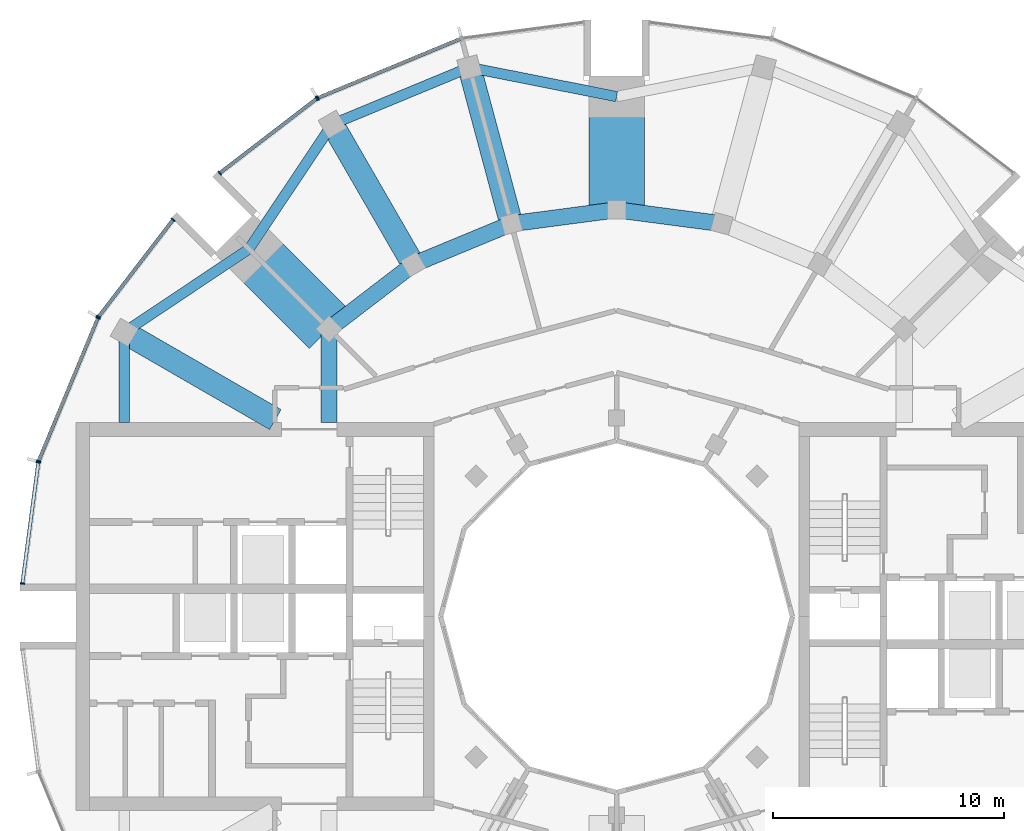
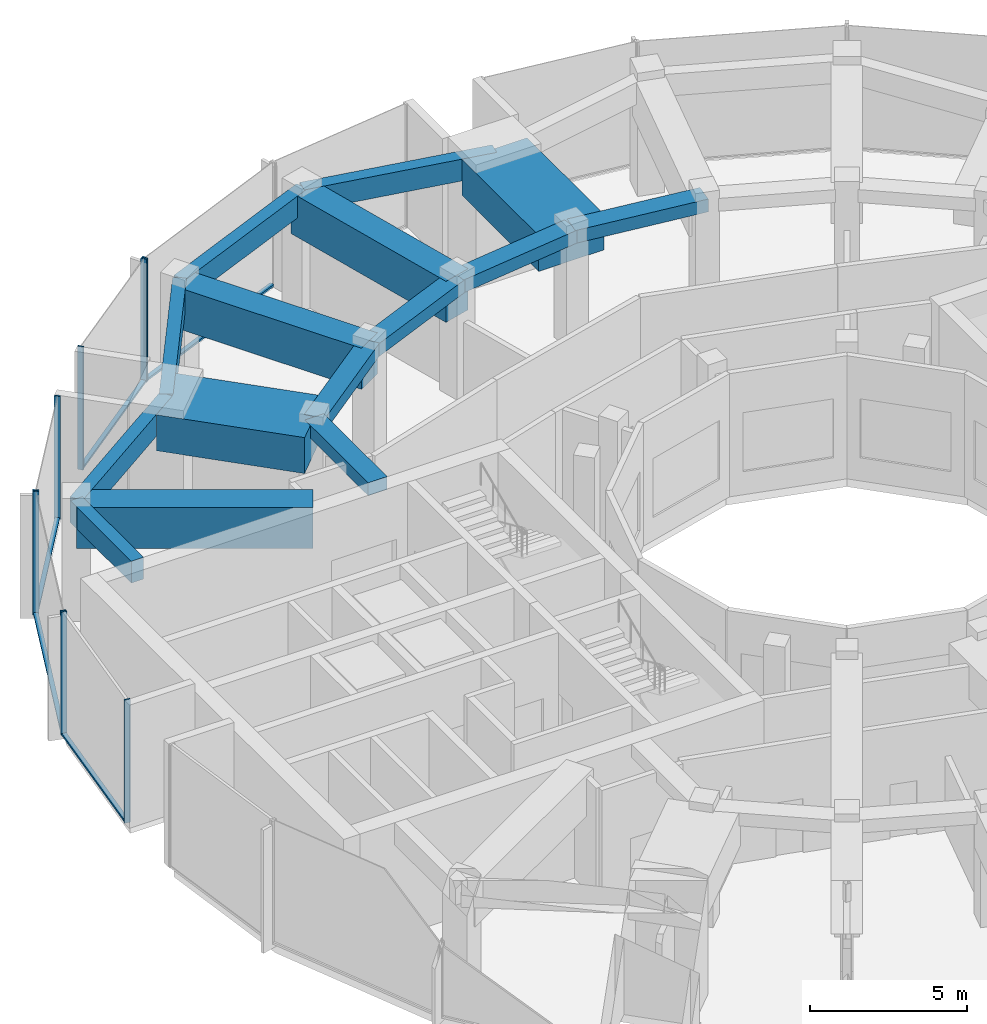
# One storey, part 6 of 17: 15 beams, 14 members, 5 elements without a shape of their own.
"""IFC4 building model written with IfcOpenShell, lengths in metres."""

from ifc_helpers import new_model, si_unit, direction, frame, origin, origin_2d, place, context, subcontext, project, spatial, rectangle, extrude, material, layer, layer_set, material_profile, profile_set, type_object, element, aggregate, save


model = new_model("IFC4")

# Units and contexts
model_context = context("Model", 3, precision=1e-05, world=origin(), true_north=direction((0.0, 1.0)))
body_context = subcontext(model_context, "Body", "Model", "MODEL_VIEW")
ifc_project = project(units=[si_unit("LENGTHUNIT", "METRE"), si_unit("AREAUNIT", "SQUARE_METRE"), si_unit("VOLUMEUNIT", "CUBIC_METRE"), si_unit("PLANEANGLEUNIT", "RADIAN"), si_unit("MASSUNIT", "GRAM", prefix="KILO")], contexts=[model_context])

# Site, building, storey
site_placement = place(None, origin())
site = spatial("IfcSite", under=ifc_project, at=site_placement, CompositionType="ELEMENT")
building_placement = place(site_placement, origin())
building = spatial("IfcBuilding", under=site, at=building_placement, Name="Torre Brocal", CompositionType="ELEMENT")
storey_placement = place(building_placement, frame((0.0, 0.0, 270.89990234375)))
storey = spatial("IfcBuildingStorey", under=building, at=storey_placement, Name="L62", CompositionType="ELEMENT", Elevation=270.89990234375)

# Curtain wall, member
ifc_material_1 = material(Name="Aluminium and glass", Category="aluminium")
ifc_layer_1 = layer(ifc_material_1, 0.199951171875)
ifc_layer_set_1 = layer_set([ifc_layer_1], Name="Aluminium and glass")
curtain_wall_type_1 = type_object("IfcCurtainWallType", Name="CW-1 CURTAIN WALL 4800 HIGH", PredefinedType="NOTDEFINED", material=ifc_layer_set_1)
curtain_wall_1_placement = place(storey_placement, origin())
curtain_wall_1 = element("IfcCurtainWall", 1, at=curtain_wall_1_placement, inside=storey, type_object=curtain_wall_type_1, Name="CW-1 RUN 8", PredefinedType="NOTDEFINED")
ifc_material_2 = material(Name="Aluminium, dark anodised", Category="aluminium")
ifc_material_profile_1 = material_profile(ifc_material_2, rectangle(XDim=0.199951171875, YDim=0.06005859375, at=origin_2d()), Name="CW-1 MULLION 60X200")
ifc_profile_set_1 = profile_set([ifc_material_profile_1], Name="Aluminium, dark anodised")
member_type_1 = type_object("IfcMemberType", Name="CW-1 MULLION 60X200", PredefinedType="MULLION", material=ifc_profile_set_1)
member_1_placement = place(storey_placement, frame((67.078125, 97.440673828125, 0.0), z_axis=(0.0, 0.0, 1.0), x_axis=(0.382683432333, -0.923879532525, 0.0)))
member_1 = element("IfcMember", 2, at=member_1_placement, type_object=member_type_1, Name="CW1-7 mullion 2", PredefinedType="MULLION", context=body_context, shape_type="SweptSolid", body=[
    extrude(rectangle(XDim=0.199951171875, YDim=0.06005859375, at=origin_2d()), origin(), (0.0, 0.0, 1.0), 4.800048828125),
])

# Curtain wall, members
curtain_wall_2_placement = place(storey_placement, origin())
curtain_wall_2 = element("IfcCurtainWall", 3, at=curtain_wall_2_placement, inside=storey, type_object=curtain_wall_type_1, Name="CW-1 RUN 9", PredefinedType="NOTDEFINED")
member_2_placement = place(storey_placement, frame((67.026611328125, 97.4111328125, 0.0), z_axis=(0.0, 0.0, 1.0), x_axis=(0.60876142905, -0.793353340259, 0.0)))
member_2 = element("IfcMember", 4, at=member_2_placement, type_object=member_type_1, Name="CW1-7 mullion 1", PredefinedType="MULLION", context=body_context, shape_type="SweptSolid", body=[
    extrude(rectangle(XDim=0.199951171875, YDim=0.06005859375, at=origin_2d()), origin(), (0.0, 0.0, 1.0), 4.800048828125),
])
member_3_placement = place(storey_placement, frame((62.83056640625, 94.19140625, 0.0), z_axis=(0.0, 0.0, 1.0), x_axis=(0.60876142905, -0.793353340259, 0.0)))
member_3 = element("IfcMember", 5, at=member_3_placement, type_object=member_type_1, Name="CW1-7 mullion 2", PredefinedType="MULLION", context=body_context, shape_type="SweptSolid", body=[
    extrude(rectangle(XDim=0.199951171875, YDim=0.06005859375, at=origin_2d()), origin(), (0.0, 0.0, 1.0), 4.800048828125),
])

curtain_wall_3_placement = place(storey_placement, origin())
curtain_wall_3 = element("IfcCurtainWall", 6, at=curtain_wall_3_placement, inside=storey, type_object=curtain_wall_type_1, Name="CW-1 RUN 10", PredefinedType="NOTDEFINED")
member_4_placement = place(storey_placement, frame((60.80859375, 92.16943359375, 0.0), z_axis=(0.0, 0.0, 1.0), x_axis=(0.793353340259, -0.60876142905, 0.0)))
member_4 = element("IfcMember", 7, at=member_4_placement, type_object=member_type_1, Name="CW1-7 mullion 1", PredefinedType="MULLION", context=body_context, shape_type="SweptSolid", body=[
    extrude(rectangle(XDim=0.199951171875, YDim=0.06005859375, at=origin_2d()), origin(), (0.0, 0.0, 1.0), 4.800048828125),
])
member_5_placement = place(storey_placement, frame((57.5888671875, 87.973388671875, 0.0), z_axis=(0.0, 0.0, 1.0), x_axis=(0.793353340259, -0.60876142905, 0.0)))
member_5 = element("IfcMember", 8, at=member_5_placement, type_object=member_type_1, Name="CW1-7 mullion 2", PredefinedType="MULLION", context=body_context, shape_type="SweptSolid", body=[
    extrude(rectangle(XDim=0.199951171875, YDim=0.06005859375, at=origin_2d()), origin(), (0.0, 0.0, 1.0), 4.800048828125),
])

curtain_wall_4_placement = place(storey_placement, origin())
curtain_wall_4 = element("IfcCurtainWall", 9, at=curtain_wall_4_placement, inside=storey, type_object=curtain_wall_type_1, Name="CW-1 RUN 11", PredefinedType="NOTDEFINED")
member_6_placement = place(storey_placement, frame((57.559326171875, 87.921875, 0.0), z_axis=(0.0, 0.0, 1.0), x_axis=(0.923879532525, -0.382683432333, 0.0)))
member_6 = element("IfcMember", 10, at=member_6_placement, type_object=member_type_1, Name="CW1-7 mullion 1", PredefinedType="MULLION", context=body_context, shape_type="SweptSolid", body=[
    extrude(rectangle(XDim=0.199951171875, YDim=0.06005859375, at=origin_2d()), origin(), (0.0, 0.0, 1.0), 4.800048828125),
])
member_7_placement = place(storey_placement, frame((54.994873046875, 81.73095703125, 0.0), z_axis=(0.0, 0.0, 1.0), x_axis=(0.923879532525, -0.382683432333, 0.0)))
member_7 = element("IfcMember", 11, at=member_7_placement, type_object=member_type_1, Name="CW1-7 mullion 2", PredefinedType="MULLION", context=body_context, shape_type="SweptSolid", body=[
    extrude(rectangle(XDim=0.199951171875, YDim=0.06005859375, at=origin_2d()), origin(), (0.0, 0.0, 1.0), 4.800048828125),
])

# Member
ifc_material_3 = material(Name="Aluminium, dark anodised", Category="aluminium")
ifc_material_profile_2 = material_profile(ifc_material_3, rectangle(XDim=0.159912109375, YDim=0.080078125, at=origin_2d()), Name="CW-1 TRANSOM 160X80")
ifc_profile_set_2 = profile_set([ifc_material_profile_2], Name="Aluminium, dark anodised")
member_type_2 = type_object("IfcMemberType", Name="CW-1 TRANSOM 160X80", PredefinedType="USERDEFINED", material=ifc_profile_set_2)
member_8_placement = place(storey_placement, frame((73.241455078125, 99.99365234375, 0.0400390625), z_axis=(-0.923887344364, -0.38266457234, 0.0), x_axis=(0.38266457234, -0.923887344364, 0.0)))
member_8 = element("IfcMember", 12, at=member_8_placement, type_object=member_type_2, Name="CW1-7 transom 1.1", ObjectType="TRANSOM", PredefinedType="USERDEFINED", context=body_context, shape_type="SweptSolid", body=[
    extrude(rectangle(XDim=0.159912109375, YDim=0.080078125, at=origin_2d()), origin(), (0.0, 0.0, 1.0), 6.640869140625),
])

aggregate(curtain_wall_1, [member_1, member_8])

member_9_placement = place(storey_placement, frame((67.0029296875, 97.392822265625, 0.0400390625), z_axis=(-0.79336281513, -0.60874908096, 0.0), x_axis=(0.60874908096, -0.79336281513, 0.0)))
member_9 = element("IfcMember", 13, at=member_9_placement, type_object=member_type_2, Name="CW1-7 transom 1.1", ObjectType="TRANSOM", PredefinedType="USERDEFINED", context=body_context, shape_type="SweptSolid", body=[
    extrude(rectangle(XDim=0.159912109375, YDim=0.080078125, at=origin_2d()), origin(), (0.0, 0.0, 1.0), 5.22900390625),
])

aggregate(curtain_wall_2, [member_2, member_3, member_9])

member_10_placement = place(storey_placement, frame((60.790283203125, 92.1455078125, 0.0400390625), z_axis=(-0.60874908096, -0.79336281513, 0.0), x_axis=(0.79336281513, -0.60874908096, 0.0)))
member_10 = element("IfcMember", 14, at=member_10_placement, type_object=member_type_2, Name="CW1-7 transom 1.1", ObjectType="TRANSOM", PredefinedType="USERDEFINED", context=body_context, shape_type="SweptSolid", body=[
    extrude(rectangle(XDim=0.159912109375, YDim=0.080078125, at=origin_2d()), origin(), (0.0, 0.0, 1.0), 5.22900390625),
])

aggregate(curtain_wall_3, [member_4, member_5, member_10])

member_11_placement = place(storey_placement, frame((57.547607421875, 87.89404296875, 0.0400390625), z_axis=(-0.38266457234, -0.923887344364, 0.0), x_axis=(0.923887344364, -0.38266457234, 0.0)))
member_11 = element("IfcMember", 15, at=member_11_placement, type_object=member_type_2, Name="CW1-7 transom 1.1", ObjectType="TRANSOM", PredefinedType="USERDEFINED", context=body_context, shape_type="SweptSolid", body=[
    extrude(rectangle(XDim=0.159912109375, YDim=0.080078125, at=origin_2d()), origin(), (0.0, 0.0, 1.0), 6.640869140625),
])

aggregate(curtain_wall_4, [member_6, member_7, member_11])

# Curtain wall, members
ifc_material_4 = material(Name="Aluminium and glass", Category="aluminium")
ifc_layer_2 = layer(ifc_material_4, 0.199951171875)
ifc_layer_set_2 = layer_set([ifc_layer_2], Name="Aluminium and glass")
curtain_wall_type_2 = type_object("IfcCurtainWallType", Name="CW-1B CURTAIN WALL 4800 HIGH", PredefinedType="NOTDEFINED", material=ifc_layer_set_2)
curtain_wall_5_placement = place(storey_placement, origin())
curtain_wall_5 = element("IfcCurtainWall", 16, at=curtain_wall_5_placement, inside=storey, type_object=curtain_wall_type_2, Name="CW-1B RUN 12", PredefinedType="NOTDEFINED")
ifc_material_5 = material(Name="Aluminium, dark anodised", Category="aluminium")
ifc_material_profile_3 = material_profile(ifc_material_5, rectangle(XDim=0.199951171875, YDim=0.06005859375, at=origin_2d()), Name="CW-1B MULLION 60X200")
ifc_profile_set_3 = profile_set([ifc_material_profile_3], Name="Aluminium, dark anodised")
member_type_3 = type_object("IfcMemberType", Name="CW-1B MULLION 60X200", PredefinedType="MULLION", material=ifc_profile_set_3)
member_12_placement = place(storey_placement, frame((54.9794921875, 81.67333984375, 0.0), z_axis=(0.0, 0.0, 1.0), x_axis=(0.991444861374, -0.13052619222, 0.0)))
member_12 = element("IfcMember", 17, at=member_12_placement, type_object=member_type_3, Name="CW1B-6 mullion 1", PredefinedType="MULLION", context=body_context, shape_type="SweptSolid", body=[
    extrude(rectangle(XDim=0.199951171875, YDim=0.06005859375, at=origin_2d()), origin(), (0.0, 0.0, 1.0), 4.800048828125),
])
member_13_placement = place(storey_placement, frame((54.2890625, 76.4296875, 0.0), z_axis=(0.0, 0.0, 1.0), x_axis=(0.991444861374, -0.13052619222, 0.0)))
member_13 = element("IfcMember", 18, at=member_13_placement, type_object=member_type_3, Name="CW1B-6 mullion 2", PredefinedType="MULLION", context=body_context, shape_type="SweptSolid", body=[
    extrude(rectangle(XDim=0.199951171875, YDim=0.06005859375, at=origin_2d()), origin(), (0.0, 0.0, 1.0), 4.800048828125),
])
ifc_material_6 = material(Name="Aluminium, dark anodised", Category="aluminium")
ifc_material_profile_4 = material_profile(ifc_material_6, rectangle(XDim=0.159912109375, YDim=0.080078125, at=origin_2d()), Name="CW-1B TRANSOM 160X80")
ifc_profile_set_4 = profile_set([ifc_material_profile_4], Name="Aluminium, dark anodised")
member_type_4 = type_object("IfcMemberType", Name="CW-1B TRANSOM 160X80", PredefinedType="USERDEFINED", material=ifc_profile_set_4)
member_14_placement = place(storey_placement, frame((54.9755859375, 81.643798828125, 0.0400390625), z_axis=(-0.130542677827, -0.991442690863, 0.0), x_axis=(0.991442690863, -0.130542677827, 0.0)))
member_14 = element("IfcMember", 19, at=member_14_placement, type_object=member_type_4, Name="CW1B-6 transom 1.1", ObjectType="TRANSOM", PredefinedType="USERDEFINED", context=body_context, shape_type="SweptSolid", body=[
    extrude(rectangle(XDim=0.159912109375, YDim=0.080078125, at=origin_2d()), origin(), (0.0, 0.0, 1.0), 5.22900390625),
])
aggregate(curtain_wall_5, [member_12, member_13, member_14])

# Beams
ifc_material_7 = material(Name="Concrete C50", Category="concrete")
ifc_material_profile_5 = material_profile(ifc_material_7, rectangle(XDim=0.699951171875, YDim=0.5, at=origin_2d()), Name="RC 700X500")
ifc_profile_set_5 = profile_set([ifc_material_profile_5], Name="Concrete C50")
beam_type_1 = type_object("IfcBeamType", Name="RC BEAM 700X500 C50 TOP 4480", PredefinedType="BEAM", material=ifc_profile_set_5)
for number, where, z_axis, x_axis, name in (
    (20, (84.55517578125, 92.000244140625, 4.22998046875), (-0.991440544449, 0.130558978332, 0.0), (-0.130558978332, -0.991440544449, 0.0), "Beam BT-45"),
    (21, (80.0, 92.60009765625, 4.22998046875), (-0.991440544449, -0.130558978332, 0.0), (0.130558978332, -0.991440544449, 0.0), "Beam BT-45"),
):
    element("IfcBeam", number, at=place(storey_placement, frame(where, z_axis=z_axis, x_axis=x_axis)), inside=storey, type_object=beam_type_1, Name=name, PredefinedType="BEAM", context=body_context, shape_type="SweptSolid", body=[
        extrude(rectangle(XDim=0.699951171875, YDim=0.5, at=origin_2d()), origin(), (0.0, 0.0, 1.0), 4.594482421875),
    ])
beam_1_placement = place(storey_placement, frame((75.44482421875, 92.000244140625, 4.22998046875), z_axis=(-0.923878240166, -0.382686552348, 0.0), x_axis=(0.382686552348, -0.923878240166, 0.0)))
element("IfcBeam", 22, at=beam_1_placement, inside=storey, type_object=beam_type_1, Name="Beam BT-45", PredefinedType="BEAM", context=body_context, shape_type="SweptSolid", body=[
    extrude(rectangle(XDim=0.699951171875, YDim=0.5, at=origin_2d()), origin(), (0.0, 0.0, 1.0), 4.5947265625),
])
beam_2_placement = place(storey_placement, frame((71.199951171875, 90.241943359375, 4.22998046875), z_axis=(-0.793358265959, -0.6087550097, 0.0), x_axis=(0.6087550097, -0.793358265959, 0.0)))
element("IfcBeam", 23, at=beam_2_placement, inside=storey, type_object=beam_type_1, Name="Beam BT-45", PredefinedType="BEAM", context=body_context, shape_type="SweptSolid", body=[
    extrude(rectangle(XDim=0.699951171875, YDim=0.5, at=origin_2d()), origin(), (0.0, 0.0, 1.0), 4.594482421875),
])
beam_3_placement = place(storey_placement, frame((67.554931640625, 87.445068359375, 4.22998046875), z_axis=(0.0, -1.0, 0.0), x_axis=(1.0, 0.0, 0.0)))
element("IfcBeam", 24, at=beam_3_placement, inside=storey, type_object=beam_type_1, Name="Beam BT-45", PredefinedType="BEAM", context=body_context, shape_type="SweptSolid", body=[
    extrude(rectangle(XDim=0.699951171875, YDim=0.5, at=origin_2d()), origin(), (0.0, 0.0, 1.0), 4.045166015625),
])
ifc_material_8 = material(Name="Concrete C50", Category="concrete")
ifc_material_profile_6 = material_profile(ifc_material_8, rectangle(XDim=0.449951171875, YDim=0.85009765625, at=origin_2d()), Name="RC 450X850")
ifc_profile_set_6 = profile_set([ifc_material_profile_6], Name="Concrete C50")
beam_type_2 = type_object("IfcBeamType", Name="RC SPANDREL BEAM 450X850 C50 TOP 4480", PredefinedType="SPANDREL", material=ifc_profile_set_6)
beam_4_placement = place(storey_placement, frame((80.0, 97.5, 4.05517578125), z_axis=(-0.980924907484, 0.194387051723, 0.0), x_axis=(-0.194387051723, -0.980924907484, 0.0)))
element("IfcBeam", 25, at=beam_4_placement, inside=storey, type_object=beam_type_2, Name="Beam BT-46", PredefinedType="SPANDREL", context=body_context, shape_type="SweptSolid", body=[
    extrude(rectangle(XDim=0.449951171875, YDim=0.85009765625, at=origin_2d()), origin(), (0.0, 0.0, 1.0), 6.49072265625),
])
beam_5_placement = place(storey_placement, frame((73.633056640625, 98.76171875, 4.05517578125), z_axis=(-0.923882462513, -0.382676358639, 0.0), x_axis=(0.382676358639, -0.923882462513, 0.0)))
element("IfcBeam", 26, at=beam_5_placement, inside=storey, type_object=beam_type_2, Name="Beam BT-46", PredefinedType="SPANDREL", context=body_context, shape_type="SweptSolid", body=[
    extrude(rectangle(XDim=0.449951171875, YDim=0.85009765625, at=origin_2d()), origin(), (0.0, 0.0, 1.0), 6.421875),
])
for number, where, z_axis, x_axis, name in (
    (27, (67.699951171875, 96.30419921875, 4.05517578125), (-0.556157602282, -0.831076844476, 0.0), (0.831076844476, -0.556157602282, 0.0), "Beam BT-46"),
    (28, (64.090087890625, 90.909912109375, 4.05517578125), (-0.831076844476, -0.556157602282, 0.0), (0.556157602282, -0.831076844476, 0.0), "Beam BT-46"),
):
    element("IfcBeam", number, at=place(storey_placement, frame(where, z_axis=z_axis, x_axis=x_axis)), inside=storey, type_object=beam_type_2, Name=name, PredefinedType="SPANDREL", context=body_context, shape_type="SweptSolid", body=[
        extrude(rectangle(XDim=0.449951171875, YDim=0.85009765625, at=origin_2d()), origin(), (0.0, 0.0, 1.0), 6.49072265625),
    ])
beam_6_placement = place(storey_placement, frame((58.69580078125, 87.300048828125, 4.05517578125), z_axis=(0.0, -1.0, 0.0), x_axis=(1.0, 0.0, 0.0)))
element("IfcBeam", 29, at=beam_6_placement, inside=storey, type_object=beam_type_2, Name="Beam BT-46", PredefinedType="SPANDREL", context=body_context, shape_type="SweptSolid", body=[
    extrude(rectangle(XDim=0.449951171875, YDim=0.85009765625, at=origin_2d()), origin(), (0.0, 0.0, 1.0), 3.900146484375),
])
ifc_material_9 = material(Name="Concrete C60", Category="concrete")
ifc_material_profile_7 = material_profile(ifc_material_9, rectangle(XDim=1.0, YDim=1.60009765625, at=origin_2d()), Name="RC 1000X1600")
ifc_profile_set_7 = profile_set([ifc_material_profile_7], Name="Concrete C60")
beam_type_3 = type_object("IfcBeamType", Name="RC TRANSFER GIRDER 1000X1600 C60 TOP 4480", PredefinedType="BEAM", material=ifc_profile_set_7)
beam_7_placement = place(storey_placement, frame((65.234375, 83.52490234375, 3.68017578125), z_axis=(-0.866019731711, 0.50000982419, 0.0), x_axis=(-0.50000982419, -0.866019731711, 0.0)))
element("IfcBeam", 30, at=beam_7_placement, inside=storey, type_object=beam_type_3, Name="Beam TG-05", PredefinedType="BEAM", context=body_context, shape_type="SweptSolid", body=[
    extrude(rectangle(XDim=1.0, YDim=1.60009765625, at=origin_2d()), origin(), (0.0, 0.0, 1.0), 7.550048828125),
])
for number, where, z_axis, x_axis, name in (
    (31, (71.199951171875, 90.241943359375, 3.68017578125), (-0.499995173006, 0.866028190633, 0.0), (-0.866028190633, -0.499995173006, 0.0), "Beam TG-05"),
    (32, (75.44482421875, 92.000244140625, 3.68017578125), (-0.258823832372, 0.965924543531, 0.0), (-0.965924543531, -0.258823832372, 0.0), "Beam TG-05"),
):
    element("IfcBeam", number, at=place(storey_placement, frame(where, z_axis=z_axis, x_axis=x_axis)), inside=storey, type_object=beam_type_3, Name=name, PredefinedType="BEAM", context=body_context, shape_type="SweptSolid", body=[
        extrude(rectangle(XDim=1.0, YDim=1.60009765625, at=origin_2d()), origin(), (0.0, 0.0, 1.0), 7.0),
    ])
ifc_material_10 = material(Name="Concrete C60", Category="concrete")
ifc_material_profile_8 = material_profile(ifc_material_10, rectangle(XDim=2.39990234375, YDim=1.39990234375, at=origin_2d()), Name="RC 2400X1400")
ifc_profile_set_8 = profile_set([ifc_material_profile_8], Name="Concrete C60")
beam_type_4 = type_object("IfcBeamType", Name="RC TRANSFER GIRDER 2400X1400 C60 TOP 4480", PredefinedType="BEAM", material=ifc_profile_set_8)
beam_8_placement = place(storey_placement, frame((67.554931640625, 87.445068359375, 3.780029296875), z_axis=(-0.707106781187, 0.707106781187, 0.0), x_axis=(-0.707106781187, -0.707106781187, 0.0)))
element("IfcBeam", 33, at=beam_8_placement, inside=storey, type_object=beam_type_4, Name="Beam TG-06", PredefinedType="BEAM", context=body_context, shape_type="SweptSolid", body=[
    extrude(rectangle(XDim=2.39990234375, YDim=1.39990234375, at=origin_2d()), origin(), (0.0, 0.0, 1.0), 4.900146484375),
])
beam_9_placement = place(storey_placement, frame((80.0, 92.60009765625, 3.780029296875), z_axis=(0.0, 1.0, 0.0), x_axis=(-1.0, 0.0, 0.0)))
element("IfcBeam", 34, at=beam_9_placement, inside=storey, type_object=beam_type_4, Name="Beam TG-06", PredefinedType="BEAM", context=body_context, shape_type="SweptSolid", body=[
    extrude(rectangle(XDim=2.39990234375, YDim=1.39990234375, at=origin_2d()), origin(), (0.0, 0.0, 1.0), 4.89990234375),
])

save(model, "model.ifc")
